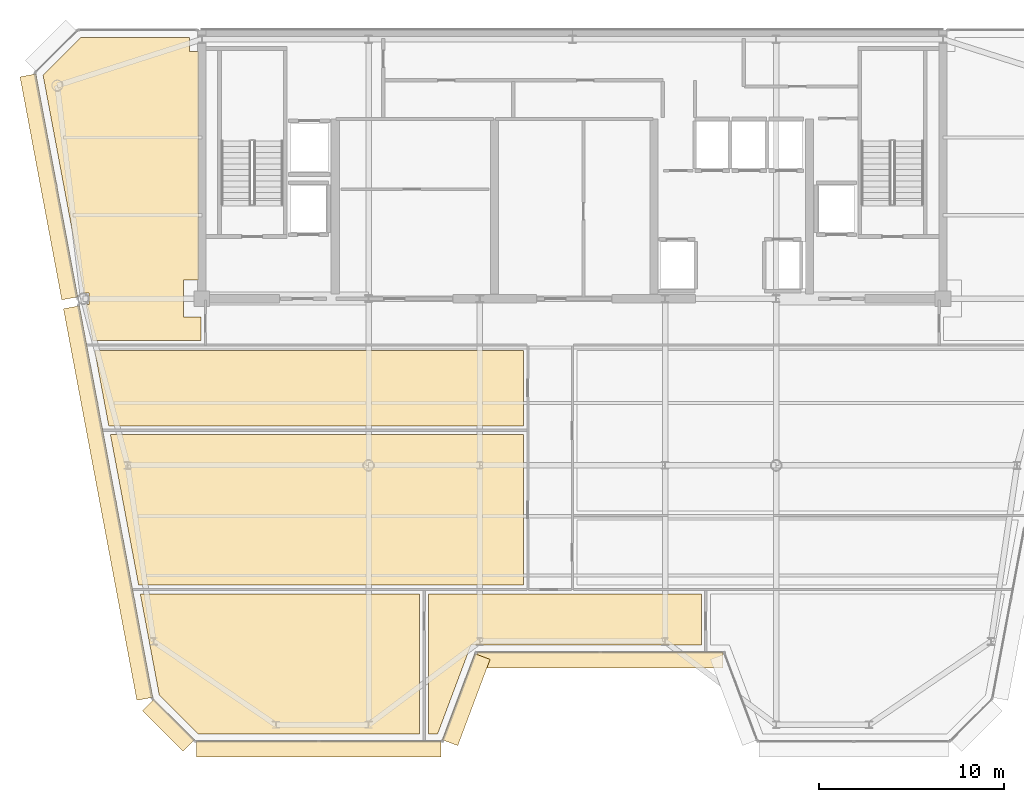
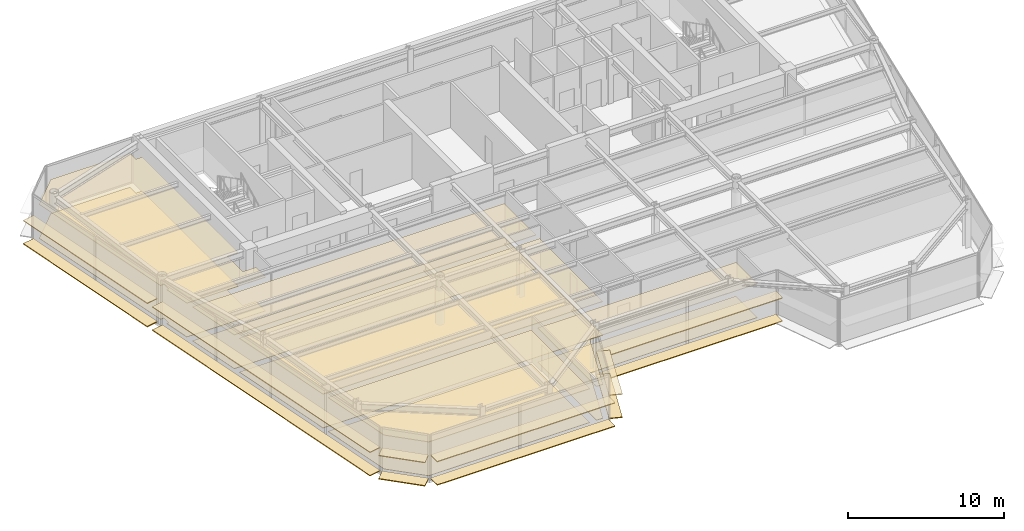
# One storey, part 13 of 19: 22 coverings.
"""IFC4 building model written with IfcOpenShell, lengths in metres."""

from ifc_helpers import new_model, si_unit, direction, frame, origin, origin_2d, place, context, subcontext, project, spatial, polyline, rectangle, outline, extrude, source, transform, mapped, material, layer, layer_set, type_object, element, save


model = new_model("IFC4")

# Units and contexts
model_context = context("Model", 3, precision=1e-05, world=origin(), true_north=direction((0.0, 1.0)))
body_context = subcontext(model_context, "Body", "Model", "MODEL_VIEW")
ifc_project = project(units=[si_unit("LENGTHUNIT", "METRE"), si_unit("AREAUNIT", "SQUARE_METRE"), si_unit("VOLUMEUNIT", "CUBIC_METRE"), si_unit("PLANEANGLEUNIT", "RADIAN"), si_unit("MASSUNIT", "GRAM", prefix="KILO")], contexts=[model_context])

# Site, building, storey
site_placement = place(None, origin())
site = spatial("IfcSite", under=ifc_project, at=site_placement, CompositionType="ELEMENT")
building_placement = place(site_placement, origin())
building = spatial("IfcBuilding", under=site, at=building_placement, Name="Vaeldorn Concourse Tower", CompositionType="ELEMENT")
storey_placement = place(building_placement, frame((0.0, 0.0, 276.39990234375)))
storey = spatial("IfcBuildingStorey", under=building, at=storey_placement, Name="L71", CompositionType="ELEMENT", Elevation=276.39990234375)

# Coverings
ifc_material_1 = material(Name="Acoustic Mineral Fibre Board", Category="gypsum")
ifc_layer_1 = layer(ifc_material_1, 0.0400390625)
ifc_layer_set_1 = layer_set([ifc_layer_1], Name="Acoustic Mineral Fibre Board")
covering_type_1 = type_object("IfcCoveringType", Name="COV-CEIL-ACOUSTIC", PredefinedType="CEILING", material=ifc_layer_set_1)
covering_1_placement = place(storey_placement, frame((0.0, 0.0, 2.650146484375)))
element("IfcCovering", 1, at=covering_1_placement, inside=storey, type_object=covering_type_1, Name="Suspended Acoustic Ceiling L71-3", PredefinedType="CEILING", context=body_context, shape_type="SweptSolid", body=[
    extrude(outline(polyline([(7.4658203125, 50.60009765625), (13.340087890625, 50.60009765625), (13.340087890625, 49.840087890625), (13.820068359375, 49.840087890625), (13.820068359375, 37.5), (13.0, 37.5), (13.0, 35.5), (13.9599609375, 35.5), (13.9599609375, 34.239990234375), (8.11767578125, 34.239990234375), (7.751220703125, 36.195068359375), (7.905029296875, 36.195068359375), (7.905029296875, 36.804931640625), (7.63671875, 36.804931640625), (5.431884765625, 48.56640625), (7.4658203125, 50.60009765625)])), origin(), (0.0, 0.0, 1.0), 0.0400390625),
])
covering_2_placement = place(storey_placement, frame((0.0, 0.0, 2.650146484375)))
element("IfcCovering", 2, at=covering_2_placement, inside=storey, type_object=covering_type_1, Name="Suspended Acoustic Ceiling L71-5", PredefinedType="CEILING", context=body_context, shape_type="SweptSolid", body=[
    extrude(outline(polyline([(31.360107421875, 29.159912109375), (31.360107421875, 21.0400390625), (10.592041015625, 21.0400390625), (9.06982421875, 29.159912109375), (31.360107421875, 29.159912109375)])), origin(), (0.0, 0.0, 1.0), 0.0400390625),
])
covering_3_placement = place(storey_placement, frame((0.0, 0.0, 2.650146484375)))
element("IfcCovering", 3, at=covering_3_placement, inside=storey, type_object=covering_type_1, Name="Suspended Acoustic Ceiling L71-6", PredefinedType="CEILING", context=body_context, shape_type="SweptSolid", body=[
    extrude(outline(polyline([(31.360107421875, 33.699951171875), (31.360107421875, 29.639892578125), (8.97998046875, 29.639892578125), (8.21875, 33.699951171875), (31.360107421875, 33.699951171875)])), origin(), (0.0, 0.0, 1.0), 0.0400390625),
])
covering_4_placement = place(storey_placement, frame((0.0, 0.0, 2.650146484375)))
element("IfcCovering", 4, at=covering_4_placement, inside=storey, type_object=covering_type_1, Name="Suspended Acoustic Ceiling L71-9", PredefinedType="CEILING", context=body_context, shape_type="SweptSolid", body=[
    extrude(outline(polyline([(25.760009765625, 20.56005859375), (25.760009765625, 13.0), (13.8017578125, 13.0), (11.706298828125, 15.09521484375), (11.687255859375, 15.197509765625), (10.681884765625, 20.56005859375), (25.760009765625, 20.56005859375)])), origin(), (0.0, 0.0, 1.0), 0.0400390625),
])
covering_5_placement = place(storey_placement, frame((0.0, 0.0, 2.650146484375)))
element("IfcCovering", 5, at=covering_5_placement, inside=storey, type_object=covering_type_1, Name="Suspended Acoustic Ceiling L71-10", PredefinedType="CEILING", context=body_context, shape_type="SweptSolid", body=[
    extrude(outline(polyline([(26.722900390625, 13.0), (26.239990234375, 13.0), (26.239990234375, 20.56005859375), (40.9599609375, 20.56005859375), (40.9599609375, 17.800048828125), (28.522705078125, 17.800048828125), (26.722900390625, 13.0)])), origin(), (0.0, 0.0, 1.0), 0.0400390625),
])
ifc_material_2 = material(Name="Honed Limestone Terrazzo Flooring", Category="masonry")
ifc_layer_2 = layer(ifc_material_2, 0.0400390625)
ifc_layer_set_2 = layer_set([ifc_layer_2], Name="Honed Limestone Terrazzo Flooring")
covering_type_2 = type_object("IfcCoveringType", Name="COV-FLOOR-STONE", PredefinedType="FLOORING", material=ifc_layer_set_2)
covering_6_placement = place(storey_placement, origin())
element("IfcCovering", 6, at=covering_6_placement, inside=storey, type_object=covering_type_2, Name="Floor Finish Covering L71-3", PredefinedType="FLOORING", context=body_context, shape_type="SweptSolid", body=[
    extrude(outline(polyline([(7.4658203125, 50.60009765625), (13.340087890625, 50.60009765625), (13.340087890625, 49.840087890625), (13.820068359375, 49.840087890625), (13.820068359375, 37.5), (13.0, 37.5), (13.0, 35.5), (13.9599609375, 35.5), (13.9599609375, 34.239990234375), (8.11767578125, 34.239990234375), (7.751220703125, 36.195068359375), (7.905029296875, 36.195068359375), (7.905029296875, 36.804931640625), (7.63671875, 36.804931640625), (5.431884765625, 48.56640625), (7.4658203125, 50.60009765625)])), origin(), (0.0, 0.0, 1.0), 0.030029296875),
])
covering_7_placement = place(storey_placement, origin())
element("IfcCovering", 7, at=covering_7_placement, inside=storey, type_object=covering_type_2, Name="Floor Finish Covering L71-5", PredefinedType="FLOORING", context=body_context, shape_type="SweptSolid", body=[
    extrude(outline(polyline([(31.360107421875, 29.159912109375), (31.360107421875, 21.0400390625), (10.592041015625, 21.0400390625), (9.06982421875, 29.159912109375), (31.360107421875, 29.159912109375)])), origin(), (0.0, 0.0, 1.0), 0.030029296875),
])
covering_8_placement = place(storey_placement, origin())
element("IfcCovering", 8, at=covering_8_placement, inside=storey, type_object=covering_type_2, Name="Floor Finish Covering L71-6", PredefinedType="FLOORING", context=body_context, shape_type="SweptSolid", body=[
    extrude(outline(polyline([(31.360107421875, 33.699951171875), (31.360107421875, 29.639892578125), (8.97998046875, 29.639892578125), (8.21875, 33.699951171875), (31.360107421875, 33.699951171875)])), origin(), (0.0, 0.0, 1.0), 0.030029296875),
])
covering_9_placement = place(storey_placement, origin())
element("IfcCovering", 9, at=covering_9_placement, inside=storey, type_object=covering_type_2, Name="Floor Finish Covering L71-9", PredefinedType="FLOORING", context=body_context, shape_type="SweptSolid", body=[
    extrude(outline(polyline([(25.760009765625, 20.56005859375), (25.760009765625, 13.0), (13.8017578125, 13.0), (11.706298828125, 15.09521484375), (11.687255859375, 15.197509765625), (10.681884765625, 20.56005859375), (25.760009765625, 20.56005859375)])), origin(), (0.0, 0.0, 1.0), 0.030029296875),
])
covering_10_placement = place(storey_placement, origin())
element("IfcCovering", 10, at=covering_10_placement, inside=storey, type_object=covering_type_2, Name="Floor Finish Covering L71-10", PredefinedType="FLOORING", context=body_context, shape_type="SweptSolid", body=[
    extrude(outline(polyline([(26.722900390625, 13.0), (26.239990234375, 13.0), (26.239990234375, 20.56005859375), (40.9599609375, 20.56005859375), (40.9599609375, 17.800048828125), (28.522705078125, 17.800048828125), (26.722900390625, 13.0)])), origin(), (0.0, 0.0, 1.0), 0.030029296875),
])
ifc_material_3 = material(Name="Anodised Bronze Aluminium", Category="aluminium")
ifc_layer_3 = layer(ifc_material_3, 0.06494140625)
ifc_layer_set_3 = layer_set([ifc_layer_3], Name="Anodised Bronze Aluminium")
covering_type_3 = type_object("IfcCoveringType", Name="SD-BRONZE-SUNSHADE", PredefinedType="USERDEFINED", material=ifc_layer_set_3)
shared_shape_1 = source(origin(), body_context, "Body", "SweptSolid", [
    extrude(rectangle(XDim=4.96630859375, YDim=0.8798828125, at=origin_2d()), origin(), (0.0, 0.0, 1.0), 0.06494140625),
])
for number, where, z_axis, x_axis, name in (
    (11, (28.2744140625, 14.859619140625, 0.047607421875), (0.0, 0.0, 1.0), (0.351122702609, 0.936329454686, 0.0), "Horizontal Bronze Sunshade L71-E02.1.1"),
    (12, (28.2744140625, 14.859619140625, 1.86767578125), (0.0, 0.0, 1.0), (0.351122702609, 0.936329454686, 0.0), "Horizontal Bronze Sunshade L71-E02.1.2"),
):
    element("IfcCovering", number, at=place(storey_placement, frame(where, z_axis=z_axis, x_axis=x_axis)), inside=storey, type_object=covering_type_3, Name=name, ObjectType="SUNSHADE", PredefinedType="USERDEFINED", context=body_context, shape_type="MappedRepresentation", body=[
        mapped(shared_shape_1, transform((0.0, 0.0, 0.0), scale=1.0)),
    ])
shared_shape_2 = source(origin(), body_context, "Body", "SweptSolid", [
    extrude(rectangle(XDim=13.239990234375, YDim=0.8798828125, at=origin_2d()), origin(), (0.0, 0.0, 1.0), 0.06494140625),
])
for number, where, z_axis, x_axis, name in (
    (13, (35.5, 17.0, 0.047607421875), (0.0, 0.0, 1.0), (1.0, 0.0, 0.0), "Horizontal Bronze Sunshade L71-E03.1.1"),
    (14, (35.5, 17.0, 1.86767578125), (0.0, 0.0, 1.0), (1.0, 0.0, 0.0), "Horizontal Bronze Sunshade L71-E03.1.2"),
):
    element("IfcCovering", number, at=place(storey_placement, frame(where, z_axis=z_axis, x_axis=x_axis)), inside=storey, type_object=covering_type_3, Name=name, ObjectType="SUNSHADE", PredefinedType="USERDEFINED", context=body_context, shape_type="MappedRepresentation", body=[
        mapped(shared_shape_2, transform((0.0, 0.0, 0.0), scale=1.0)),
    ])
shared_shape_3 = source(origin(), body_context, "Body", "SweptSolid", [
    extrude(rectangle(XDim=3.0927734375, YDim=0.8798828125, at=origin_2d()), origin(), (0.0, 0.0, 1.0), 0.06494140625),
])
for number, where, z_axis, x_axis, name in (
    (15, (12.203125, 13.46728515625, 0.047607421875), (0.0, 0.0, 1.0), (0.707106781187, -0.707106781187, 0.0), "Horizontal Bronze Sunshade L71-E12.1.1"),
    (16, (12.203125, 13.46728515625, 1.86767578125), (0.0, 0.0, 1.0), (0.707106781187, -0.707106781187, 0.0), "Horizontal Bronze Sunshade L71-E12.1.2"),
):
    element("IfcCovering", number, at=place(storey_placement, frame(where, z_axis=z_axis, x_axis=x_axis)), inside=storey, type_object=covering_type_3, Name=name, ObjectType="SUNSHADE", PredefinedType="USERDEFINED", context=body_context, shape_type="MappedRepresentation", body=[
        mapped(shared_shape_3, transform((0.0, 0.0, 0.0), scale=1.0)),
    ])
shared_shape_4 = source(origin(), body_context, "Body", "SweptSolid", [
    extrude(rectangle(XDim=21.49560546875, YDim=0.8798828125, at=origin_2d()), origin(), (0.0, 0.0, 1.0), 0.06494140625),
])
for number, where, z_axis, x_axis, name in (
    (17, (8.94775390625, 25.46875, 0.047607421875), (0.0, 0.0, 1.0), (0.1842429853, -0.98288072642, 0.0), "Horizontal Bronze Sunshade L71-E11.2.1"),
    (18, (8.94775390625, 25.46875, 1.86767578125), (0.0, 0.0, 1.0), (0.1842429853, -0.98288072642, 0.0), "Horizontal Bronze Sunshade L71-E11.2.2"),
):
    element("IfcCovering", number, at=place(storey_placement, frame(where, z_axis=z_axis, x_axis=x_axis)), inside=storey, type_object=covering_type_3, Name=name, ObjectType="SUNSHADE", PredefinedType="USERDEFINED", context=body_context, shape_type="MappedRepresentation", body=[
        mapped(shared_shape_4, transform((0.0, 0.0, 0.0), scale=1.0)),
    ])
shared_shape_5 = source(origin(), body_context, "Body", "SweptSolid", [
    extrude(rectangle(XDim=12.241943359375, YDim=0.8798828125, at=origin_2d()), origin(), (0.0, 0.0, 1.0), 0.06494140625),
])
for number, where, z_axis, x_axis, name in (
    (19, (5.749267578125, 42.531494140625, 0.047607421875), (0.0, 0.0, 1.0), (0.1842429853, -0.98288072642, 0.0), "Horizontal Bronze Sunshade L71-E11.1.1"),
    (20, (5.749267578125, 42.531494140625, 1.86767578125), (0.0, 0.0, 1.0), (0.1842429853, -0.98288072642, 0.0), "Horizontal Bronze Sunshade L71-E11.1.2"),
):
    element("IfcCovering", number, at=place(storey_placement, frame(where, z_axis=z_axis, x_axis=x_axis)), inside=storey, type_object=covering_type_3, Name=name, ObjectType="SUNSHADE", PredefinedType="USERDEFINED", context=body_context, shape_type="MappedRepresentation", body=[
        mapped(shared_shape_5, transform((0.0, 0.0, 0.0), scale=1.0)),
    ])
shared_shape_6 = source(origin(), body_context, "Body", "SweptSolid", [
    extrude(rectangle(XDim=13.2041015625, YDim=0.8798828125, at=origin_2d()), origin(), (0.0, 0.0, 1.0), 0.06494140625),
])
for number, where, z_axis, x_axis, name in (
    (21, (20.318115234375, 12.199951171875, 0.047607421875), (0.0, 0.0, 1.0), (1.0, 0.0, 0.0), "Horizontal Bronze Sunshade L71-E01.1.1"),
    (22, (20.318115234375, 12.199951171875, 1.86767578125), (0.0, 0.0, 1.0), (1.0, 0.0, 0.0), "Horizontal Bronze Sunshade L71-E01.1.2"),
):
    element("IfcCovering", number, at=place(storey_placement, frame(where, z_axis=z_axis, x_axis=x_axis)), inside=storey, type_object=covering_type_3, Name=name, ObjectType="SUNSHADE", PredefinedType="USERDEFINED", context=body_context, shape_type="MappedRepresentation", body=[
        mapped(shared_shape_6, transform((0.0, 0.0, 0.0), scale=1.0)),
    ])

save(model, "model.ifc")
